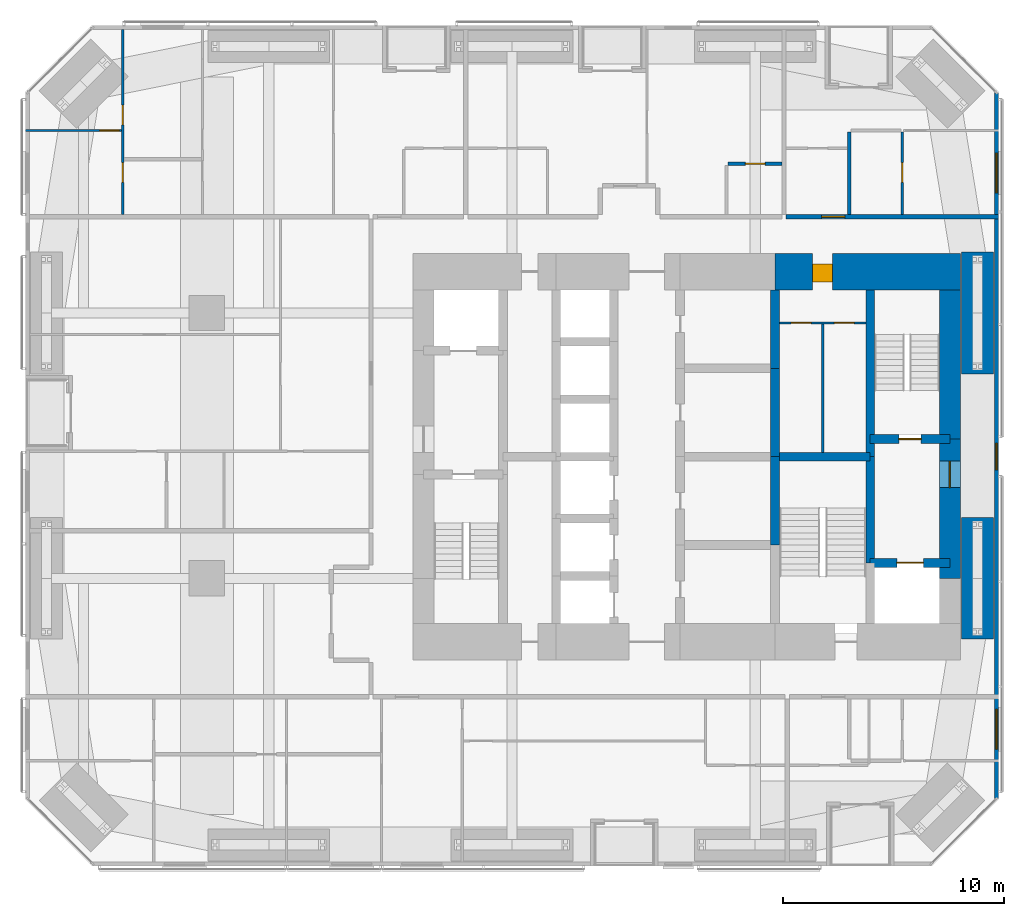
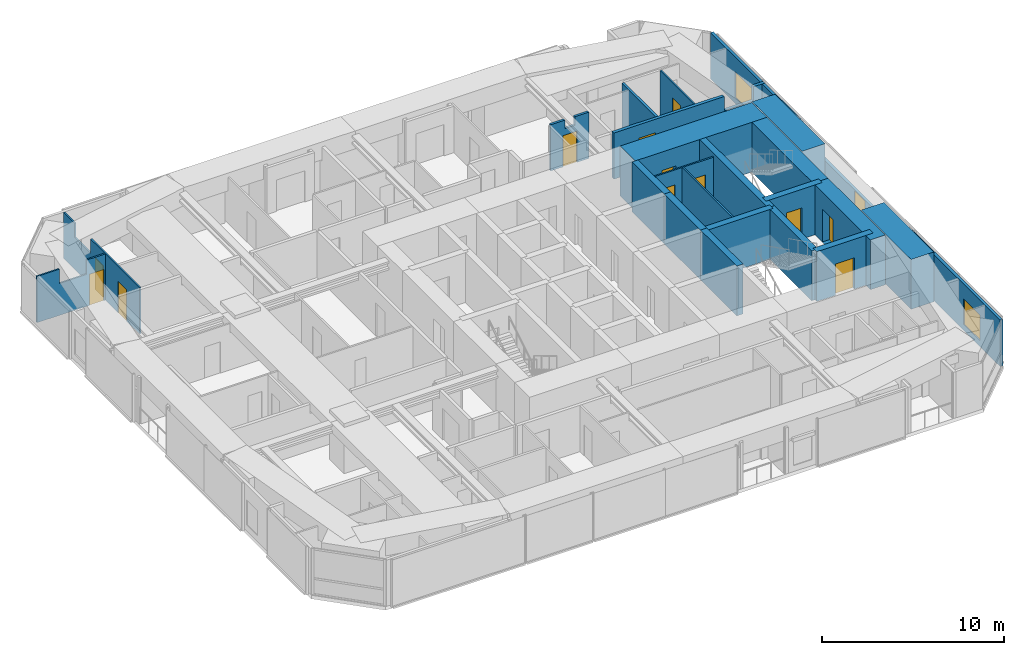
# One storey, part 21 of 24: 22 walls, 12 doors, 3 windows, 15 openings.
"""IFC4 building model written with IfcOpenShell, lengths in metres."""

from ifc_helpers import new_model, si_unit, direction, frame, frame_2d, origin, place, context, subcontext, project, spatial, polyline, rectangle, outline, extrude, material, layer, layer_set, constituent, constituent_set, type_object, element, fill, save


model = new_model("IFC4")

# Units and contexts
model_context = context("Model", 3, precision=1e-05, world=origin(), true_north=direction((0.0, 1.0)))
body_context = subcontext(model_context, "Body", "Model", "MODEL_VIEW")
ifc_project = project(units=[si_unit("LENGTHUNIT", "METRE"), si_unit("AREAUNIT", "SQUARE_METRE"), si_unit("VOLUMEUNIT", "CUBIC_METRE"), si_unit("PLANEANGLEUNIT", "RADIAN"), si_unit("MASSUNIT", "GRAM", prefix="KILO")], contexts=[model_context])

# Site, building, storey
site_placement = place(None, origin())
site = spatial("IfcSite", under=ifc_project, at=site_placement, CompositionType="ELEMENT")
building_placement = place(site_placement, origin())
building = spatial("IfcBuilding", under=site, at=building_placement, Name="Jalousie Tower", CompositionType="ELEMENT")
storey_placement = place(building_placement, frame((0.0, 0.0, 47.800048828125)))
storey = spatial("IfcBuildingStorey", under=building, at=storey_placement, Name="L12", CompositionType="ELEMENT", Elevation=47.800048828125)

# Wall, opening, door
ifc_material_1 = material(Name="Concrete block ASTM C90", Category="concrete")
ifc_constituent_1 = constituent(ifc_material_1, Name="Body")
ifc_material_2 = material(Name="Render")
ifc_constituent_2 = constituent(ifc_material_2, Name="Finish")
ifc_constituent_set_1 = constituent_set(constituents=[ifc_constituent_1, ifc_constituent_2])
wall_type_1 = type_object("IfcWallType", Name="BATHROOM WALL 150", PredefinedType="PLUMBINGWALL", material=ifc_constituent_set_1)
wall_1_placement = place(storey_placement, frame((33.77490234375, 31.75, 0.0), z_axis=(0.0, 0.0, 1.0), x_axis=(1.0, 0.0, 0.0)))
wall_1 = element("IfcWall", 1, at=wall_1_placement, inside=storey, type_object=wall_type_1, Name="Bathroom Wall 150 L12", PredefinedType="PLUMBINGWALL", context=body_context, shape_type="SweptSolid", body=[
    extrude(outline(polyline([(0.0, 0.0), (2.425048828125, 0.0), (2.425048828125, 3.10986328125), (1.537353515625, 3.10986328125), (1.537353515625, 2.541015625), (0.91259765625, 2.541015625), (0.91259765625, 3.10986328125), (0.0, 3.10986328125), (0.0, 0.0)])), frame((0.0, 0.074951171875, 0.0), z_axis=(0.0, -1.0, 0.0), x_axis=(1.0, 0.0, 0.0)), (0.0, 0.0, 1.0), 0.14990234375),
])
opening_1_placement = place(wall_1_placement, frame((0.77490234375, 0.0, 0.0)))
opening_1 = element("IfcOpeningElement", 2, at=opening_1_placement, cuts=wall_1, Name="Opening D3", PredefinedType="OPENING", context=body_context, shape_type="SweptSolid", body=[
    extrude(rectangle(XDim=0.89990234375, YDim=2.10009765625, at=frame_2d((0.449951171875, 1.050048828125))), frame((0.0, 0.0849609375, 0.0), z_axis=(0.0, -1.0, 0.0), x_axis=(1.0, 0.0, 0.0)), (0.0, 0.0, 1.0), 0.169921875),
])
ifc_material_3 = material(Name="Timber door", Category="wood")
door_type_1 = type_object("IfcDoorType", Name="BATHROOM DOOR 900", OperationType="SINGLE_SWING_LEFT", PredefinedType="DOOR", material=ifc_material_3)
door_1_placement = place(opening_1_placement, frame((0.89990234375, 0.0, 0.0), z_axis=(0.0, 0.0, 1.0), x_axis=(-1.0, 0.0, 0.0)))
door_1 = element("IfcDoor", 3, at=door_1_placement, inside=storey, type_object=door_type_1, Name="Apartment 1204 bathroom door", OperationType="SINGLE_SWING_LEFT", OverallHeight=2.10009765625, OverallWidth=0.89990234375, PredefinedType="DOOR", context=body_context, shape_type="SweptSolid", body=[
    extrude(rectangle(XDim=0.89990234375, YDim=2.10009765625, at=frame_2d((0.449951171875, 1.050048828125))), frame((0.0, 0.02490234375, 0.0), z_axis=(0.0, -1.0, 0.0), x_axis=(1.0, 0.0, 0.0)), (0.0, 0.0, 1.0), 0.050048828125),
])
fill(opening_1, door_1)

# Wall
wall_2_placement = place(storey_placement, frame((39.25, 33.17822265625, 0.0), z_axis=(0.0, 0.0, 1.0), x_axis=(0.0, -1.0, 0.0)))
element("IfcWall", 4, at=wall_2_placement, inside=storey, type_object=wall_type_1, Name="Bathroom Wall 150 L12", PredefinedType="PLUMBINGWALL", context=body_context, shape_type="SweptSolid", body=[
    extrude(rectangle(XDim=3.728271484375, YDim=0.14990234375, at=frame_2d((1.8642578125, 0.0))), origin(), (0.0, 0.0, 1.0), 3.10986328125),
])

# Wall, opening, door
ifc_material_4 = material(Name="Concrete f'c 120 MPa", Category="concrete")
ifc_layer_1 = layer(ifc_material_4, 1.64990234375)
ifc_layer_set_1 = layer_set([ifc_layer_1], Name="Concrete f'c 120 MPa")
wall_type_2 = type_object("IfcWallType", Name="CORE WALL 1650", PredefinedType="SHEAR", material=ifc_layer_set_1)
wall_3_placement = place(storey_placement, frame((44.27490234375, 26.875, 0.0), z_axis=(0.0, 0.0, 1.0), x_axis=(-1.0, 0.0, 0.0)))
wall_3 = element("IfcWall", 5, at=wall_3_placement, inside=storey, type_object=wall_type_2, Name="Core wall NA L12", PredefinedType="SHEAR", context=body_context, shape_type="SweptSolid", body=[
    extrude(rectangle(XDim=8.375, YDim=1.64990234375, at=frame_2d((4.1875, 0.0))), origin(), (0.0, 0.0, 1.0), 3.349853515625),
])
opening_2_placement = place(wall_3_placement, frame((5.77490234375, 0.0, 0.0)))
opening_2 = element("IfcOpeningElement", 6, at=opening_2_placement, cuts=wall_3, Name="Opening D25", PredefinedType="OPENING", context=body_context, shape_type="SweptSolid", body=[
    extrude(rectangle(XDim=0.89990234375, YDim=2.10009765625, at=frame_2d((0.449951171875, 1.050048828125))), frame((0.0, 0.8349609375, 0.0), z_axis=(0.0, -1.0, 0.0), x_axis=(1.0, 0.0, 0.0)), (0.0, 0.0, 1.0), 1.669921875),
])
ifc_material_5 = material(Name="Steel fire door", Category="steel")
door_type_2 = type_object("IfcDoorType", Name="SERVICE LOBBY DOOR 900", OperationType="SINGLE_SWING_LEFT", PredefinedType="DOOR", material=ifc_material_5)
door_2_placement = place(opening_2_placement, origin())
door_2 = element("IfcDoor", 7, at=door_2_placement, inside=storey, type_object=door_type_2, Name="Service lobby door", OperationType="SINGLE_SWING_RIGHT", OverallHeight=2.10009765625, OverallWidth=0.89990234375, PredefinedType="DOOR", context=body_context, shape_type="SweptSolid", body=[
    extrude(rectangle(XDim=0.89990234375, YDim=2.10009765625, at=frame_2d((0.449951171875, 1.050048828125))), frame((0.0, 0.47021484375, 0.0), z_axis=(0.0, -1.0, 0.0), x_axis=(1.0, 0.0, 0.0)), (0.0, 0.0, 1.0), 0.800048828125),
])
fill(opening_2, door_2)

# Walls
ifc_material_6 = material(Name="Concrete f'c 120 MPa", Category="concrete")
ifc_layer_2 = layer(ifc_material_6, 0.39990234375)
ifc_layer_set_2 = layer_set([ifc_layer_2], Name="Concrete f'c 120 MPa")
wall_type_3 = type_object("IfcWallType", Name="CORE WALL 400", PredefinedType="SHEAR", material=ifc_layer_set_2)
for number, where, z_axis, x_axis, name in (
    (8, (35.89990234375, 14.5, 0.0), (0.0, 0.0, 1.0), (0.0, 1.0, 0.0), "Core wall X35.9B L12"),
    (9, (35.89990234375, 18.5, 0.0), (0.0, 0.0, 1.0), (0.0, 1.0, 0.0), "Core wall X35.9C L12"),
):
    element("IfcWall", number, at=place(storey_placement, frame(where, z_axis=z_axis, x_axis=x_axis)), inside=storey, type_object=wall_type_3, Name=name, PredefinedType="SHEAR", context=body_context, shape_type="SweptSolid", body=[
        extrude(rectangle(XDim=4.0, YDim=0.39990234375, at=frame_2d((2.0, 0.0))), origin(), (0.0, 0.0, 1.0), 3.349853515625),
    ])
wall_4_placement = place(storey_placement, frame((35.89990234375, 22.5, 0.0), z_axis=(0.0, 0.0, 1.0), x_axis=(0.0, 1.0, 0.0)))
element("IfcWall", 10, at=wall_4_placement, inside=storey, type_object=wall_type_3, Name="Core wall X35.9D L12", PredefinedType="SHEAR", context=body_context, shape_type="SweptSolid", body=[
    extrude(rectangle(XDim=3.550048828125, YDim=0.39990234375, at=frame_2d((1.77490234375, 0.0))), origin(), (0.0, 0.0, 1.0), 3.349853515625),
])
wall_5_placement = place(storey_placement, frame((40.199951171875, 13.699951171875, 0.0), z_axis=(0.0, 0.0, 1.0), x_axis=(0.0, 1.0, 0.0)))
element("IfcWall", 11, at=wall_5_placement, inside=storey, type_object=wall_type_3, Name="Core wall X40.2B L12", PredefinedType="SHEAR", context=body_context, shape_type="SweptSolid", body=[
    extrude(rectangle(XDim=4.800048828125, YDim=0.39990234375, at=frame_2d((2.39990234375, 0.0))), origin(), (0.0, 0.0, 1.0), 3.349853515625),
])
wall_6_placement = place(storey_placement, frame((40.199951171875, 18.5, 0.0), z_axis=(0.0, 0.0, 1.0), x_axis=(0.0, 1.0, 0.0)))
element("IfcWall", 12, at=wall_6_placement, inside=storey, type_object=wall_type_3, Name="Core wall X40.2C L12", PredefinedType="SHEAR", context=body_context, shape_type="SweptSolid", body=[
    extrude(rectangle(XDim=7.550048828125, YDim=0.39990234375, at=frame_2d((3.77490234375, 0.0))), origin(), (0.0, 0.0, 1.0), 3.349853515625),
])
wall_7_placement = place(storey_placement, frame((35.89990234375, 18.5, 0.0), z_axis=(0.0, 0.0, 1.0), x_axis=(1.0, 0.0, 0.0)))
element("IfcWall", 13, at=wall_7_placement, inside=storey, type_object=wall_type_3, Name="Core wall Y35.9-18.5 L12", PredefinedType="SHEAR", context=body_context, shape_type="SweptSolid", body=[
    extrude(rectangle(XDim=4.300048828125, YDim=0.39990234375, at=frame_2d((2.14990234375, 0.0))), origin(), (0.0, 0.0, 1.0), 3.349853515625),
])

# Wall, opening, door
wall_8_placement = place(storey_placement, frame((40.199951171875, 13.699951171875, 0.0), z_axis=(0.0, 0.0, 1.0), x_axis=(1.0, 0.0, 0.0)))
wall_8 = element("IfcWall", 14, at=wall_8_placement, inside=storey, type_object=wall_type_3, Name="Core wall Y40.2-13.7 L12", PredefinedType="SHEAR", context=body_context, shape_type="SweptSolid", body=[
    extrude(rectangle(XDim=3.60009765625, YDim=0.39990234375, at=frame_2d((1.800048828125, 0.0))), origin(), (0.0, 0.0, 1.0), 3.349853515625),
])
opening_3_placement = place(wall_8_placement, frame((1.199951171875, 0.0, 0.0)))
opening_3 = element("IfcOpeningElement", 15, at=opening_3_placement, cuts=wall_8, Name="Opening LD2", PredefinedType="OPENING", context=body_context, shape_type="SweptSolid", body=[
    extrude(rectangle(XDim=1.199951171875, YDim=2.10009765625, at=frame_2d((0.60009765625, 1.050048828125))), frame((0.0, 0.2099609375, 0.0), z_axis=(0.0, -1.0, 0.0), x_axis=(1.0, 0.0, 0.0)), (0.0, 0.0, 1.0), 0.419921875),
])
ifc_material_7 = material(Name="Steel lift landing door", Category="steel")
door_type_3 = type_object("IfcDoorType", Name="LIFT LANDING DOOR 1200", OperationType="SLIDING_TO_LEFT", PredefinedType="DOOR", material=ifc_material_7)
door_3_placement = place(opening_3_placement, origin())
door_3 = element("IfcDoor", 16, at=door_3_placement, inside=storey, type_object=door_type_3, Name="Lift F2 landing door", OperationType="SLIDING_TO_LEFT", OverallHeight=2.10009765625, OverallWidth=1.199951171875, PredefinedType="DOOR", context=body_context, shape_type="SweptSolid", body=[
    extrude(rectangle(XDim=1.199951171875, YDim=2.10009765625, at=frame_2d((0.60009765625, 1.050048828125))), frame((0.0, 0.02490234375, 0.0), z_axis=(0.0, -1.0, 0.0), x_axis=(1.0, 0.0, 0.0)), (0.0, 0.0, 1.0), 0.050048828125),
])
fill(opening_3, door_3)

wall_9_placement = place(storey_placement, frame((40.199951171875, 19.300048828125, 0.0), z_axis=(0.0, 0.0, 1.0), x_axis=(1.0, 0.0, 0.0)))
wall_9 = element("IfcWall", 17, at=wall_9_placement, inside=storey, type_object=wall_type_3, Name="Core wall Y40.2-19.3 L12", PredefinedType="SHEAR", context=body_context, shape_type="SweptSolid", body=[
    extrude(rectangle(XDim=3.60009765625, YDim=0.39990234375, at=frame_2d((1.800048828125, 0.0))), origin(), (0.0, 0.0, 1.0), 3.349853515625),
])
opening_4_placement = place(wall_9_placement, frame((1.300048828125, 0.0, 0.0)))
opening_4 = element("IfcOpeningElement", 18, at=opening_4_placement, cuts=wall_9, Name="Opening D10", PredefinedType="OPENING", context=body_context, shape_type="SweptSolid", body=[
    extrude(rectangle(XDim=1.0, YDim=2.10009765625, at=frame_2d((0.5, 1.050048828125))), frame((0.0, 0.2099609375, 0.0), z_axis=(0.0, -1.0, 0.0), x_axis=(1.0, 0.0, 0.0)), (0.0, 0.0, 1.0), 0.419921875),
])
ifc_material_8 = material(Name="Steel fire door", Category="steel")
door_type_4 = type_object("IfcDoorType", Name="STAIR DOOR 1000", OperationType="SINGLE_SWING_LEFT", PredefinedType="DOOR", material=ifc_material_8)
door_4_placement = place(opening_4_placement, origin())
door_4 = element("IfcDoor", 19, at=door_4_placement, inside=storey, type_object=door_type_4, Name="Exit stair B door", OperationType="SINGLE_SWING_RIGHT", OverallHeight=2.10009765625, OverallWidth=1.0, PredefinedType="DOOR", context=body_context, shape_type="SweptSolid", body=[
    extrude(rectangle(XDim=1.0, YDim=2.10009765625, at=frame_2d((0.5, 1.050048828125))), frame((0.0, 0.02490234375, 0.0), z_axis=(0.0, -1.0, 0.0), x_axis=(1.0, 0.0, 0.0)), (0.0, 0.0, 1.0), 0.050048828125),
])
fill(opening_4, door_4)

ifc_material_9 = material(Name="Concrete f'c 120 MPa", Category="concrete")
ifc_layer_3 = layer(ifc_material_9, 0.949951171875)
ifc_layer_set_3 = layer_set([ifc_layer_3], Name="Concrete f'c 120 MPa")
wall_type_4 = type_object("IfcWallType", Name="CORE WALL 950", PredefinedType="SHEAR", material=ifc_layer_set_3)
wall_10_placement = place(storey_placement, frame((43.800048828125, 13.0, 0.0), z_axis=(0.0, 0.0, 1.0), x_axis=(0.0, 1.0, 0.0)))
wall_10 = element("IfcWall", 20, at=wall_10_placement, inside=storey, type_object=wall_type_4, Name="Core wall EB L12", PredefinedType="SHEAR", context=body_context, shape_type="SweptSolid", body=[
    extrude(rectangle(XDim=6.300048828125, YDim=0.949951171875, at=frame_2d((3.14990234375, 0.0))), origin(), (0.0, 0.0, 1.0), 3.349853515625),
])
opening_5_placement = place(wall_10_placement, frame((4.10009765625, 0.0, 0.0)))
opening_5 = element("IfcOpeningElement", 21, at=opening_5_placement, cuts=wall_10, Name="Opening D11", PredefinedType="OPENING", context=body_context, shape_type="SweptSolid", body=[
    extrude(rectangle(XDim=1.199951171875, YDim=2.199951171875, at=frame_2d((0.60009765625, 1.10009765625))), frame((0.0, 0.48486328125, 0.0), z_axis=(0.0, -1.0, 0.0), x_axis=(1.0, 0.0, 0.0)), (0.0, 0.0, 1.0), 0.969970703125),
])
ifc_material_10 = material(Name="Steel fire door", Category="steel")
door_type_5 = type_object("IfcDoorType", Name="FIRE DOOR 1200", OperationType="SINGLE_SWING_LEFT", PredefinedType="DOOR", material=ifc_material_10)
door_5_placement = place(opening_5_placement, origin())
door_5 = element("IfcDoor", 22, at=door_5_placement, inside=storey, type_object=door_type_5, Name="Fire-fighting lobby B door", OperationType="SINGLE_SWING_RIGHT", OverallHeight=2.199951171875, OverallWidth=1.199951171875, PredefinedType="DOOR", context=body_context, shape_type="SweptSolid", body=[
    extrude(rectangle(XDim=1.199951171875, YDim=2.199951171875, at=frame_2d((0.60009765625, 1.10009765625))), frame((0.0, 0.02490234375, 0.0), z_axis=(0.0, -1.0, 0.0), x_axis=(1.0, 0.0, 0.0)), (0.0, 0.0, 1.0), 0.050048828125),
])
fill(opening_5, door_5)

# Wall
wall_11_placement = place(storey_placement, frame((43.800048828125, 19.300048828125, 0.0), z_axis=(0.0, 0.0, 1.0), x_axis=(0.0, 1.0, 0.0)))
element("IfcWall", 23, at=wall_11_placement, inside=storey, type_object=wall_type_4, Name="Core wall EC L12", PredefinedType="SHEAR", context=body_context, shape_type="SweptSolid", body=[
    extrude(rectangle(XDim=6.75, YDim=0.949951171875, at=frame_2d((3.375, 0.0))), origin(), (0.0, 0.0, 1.0), 3.349853515625),
])

# Wall, opening, door
ifc_material_11 = material(Name="Concrete block ASTM C90", Category="concrete")
ifc_constituent_3 = constituent(ifc_material_11, Name="Body")
ifc_material_12 = material(Name="Render")
ifc_constituent_4 = constituent(ifc_material_12, Name="Finish")
ifc_constituent_set_2 = constituent_set(constituents=[ifc_constituent_3, ifc_constituent_4])
wall_type_5 = type_object("IfcWallType", Name="CORRIDOR WALL 200", PredefinedType="PARTITIONING", material=ifc_constituent_set_2)
wall_12_placement = place(storey_placement, frame((36.39990234375, 29.35009765625, 0.0), z_axis=(0.0, 0.0, 1.0), x_axis=(1.0, 0.0, 0.0)))
wall_12 = element("IfcWall", 24, at=wall_12_placement, inside=storey, type_object=wall_type_5, Name="Corridor Wall 200 L12", PredefinedType="PARTITIONING", context=body_context, shape_type="SweptSolid", body=[
    extrude(outline(polyline([(0.0, 0.0), (9.60009765625, 0.0), (9.60009765625, 3.10986328125), (8.866455078125, 3.10986328125), (8.866455078125, 2.14990234375), (7.022705078125, 2.14990234375), (7.022705078125, 3.10986328125), (0.0, 3.10986328125), (0.0, 0.0)])), frame((0.0, 0.10009765625, 0.0), z_axis=(0.0, -1.0, 0.0), x_axis=(1.0, 0.0, 0.0)), (0.0, 0.0, 1.0), 0.199951171875),
])
opening_6_placement = place(wall_12_placement, frame((1.60009765625, 0.0, 0.0)))
opening_6 = element("IfcOpeningElement", 25, at=opening_6_placement, cuts=wall_12, Name="Opening D1", PredefinedType="OPENING", context=body_context, shape_type="SweptSolid", body=[
    extrude(rectangle(XDim=1.050048828125, YDim=2.199951171875, at=frame_2d((0.52490234375, 1.10009765625))), frame((0.0, 0.10986328125, 0.0), z_axis=(0.0, -1.0, 0.0), x_axis=(1.0, 0.0, 0.0)), (0.0, 0.0, 1.0), 0.219970703125),
])
ifc_material_13 = material(Name="Timber fire door", Category="wood")
door_type_6 = type_object("IfcDoorType", Name="APARTMENT ENTRANCE DOOR 1050", OperationType="SINGLE_SWING_LEFT", PredefinedType="DOOR", material=ifc_material_13)
door_6_placement = place(opening_6_placement, origin())
door_6 = element("IfcDoor", 26, at=door_6_placement, inside=storey, type_object=door_type_6, Name="Apartment 1205 entrance", OperationType="SINGLE_SWING_RIGHT", OverallHeight=2.199951171875, OverallWidth=1.050048828125, PredefinedType="DOOR", context=body_context, shape_type="SweptSolid", body=[
    extrude(rectangle(XDim=1.050048828125, YDim=2.199951171875, at=frame_2d((0.52490234375, 1.10009765625))), frame((0.0, 0.02490234375, 0.0), z_axis=(0.0, -1.0, 0.0), x_axis=(1.0, 0.0, 0.0)), (0.0, 0.0, 1.0), 0.050048828125),
])
fill(opening_6, door_6)

# Wall, openings, windows
ifc_material_14 = material(Name="Concrete f'c 40 MPa", Category="concrete")
ifc_constituent_5 = constituent(ifc_material_14, Name="Body")
ifc_material_15 = material(Name="Render, pastel coral")
ifc_constituent_6 = constituent(ifc_material_15, Name="Finish")
ifc_constituent_set_3 = constituent_set(constituents=[ifc_constituent_5, ifc_constituent_6])
wall_type_6 = type_object("IfcWallType", Name="EXTERNAL WALL 175 CORAL RENDER", PredefinedType="SOLIDWALL", material=ifc_constituent_set_3)
wall_13_placement = place(storey_placement, frame((45.91259765625, 3.05126953125, 0.0), z_axis=(0.0, 0.0, 1.0), x_axis=(0.0, 1.0, 0.0)))
wall_13 = element("IfcWall", 27, at=wall_13_placement, inside=storey, type_object=wall_type_6, Name="External Wall 175 Coral Render L12", PredefinedType="SOLIDWALL", context=body_context, shape_type="SweptSolid", body=[
    extrude(outline(polyline([(0.0, 0.0), (31.8974609375, 0.0), (31.8974609375, 3.10986328125), (22.167236328125, 3.10986328125), (22.167236328125, 2.14990234375), (22.074462890625, 2.14990234375), (22.074462890625, 3.10986328125), (21.94873046875, 3.10986328125), (21.94873046875, 2.14990234375), (9.94873046875, 2.14990234375), (9.94873046875, 3.10986328125), (9.822998046875, 3.10986328125), (9.822998046875, 2.14990234375), (9.72998046875, 2.14990234375), (9.72998046875, 3.10986328125), (0.0, 3.10986328125), (0.0, 0.0)])), frame((0.0, 0.08740234375, 0.0), z_axis=(0.0, -1.0, 0.0), x_axis=(1.0, 0.0, 0.0)), (0.0, 0.0, 1.0), 0.175048828125),
])
opening_7_placement = place(wall_13_placement, frame((2.22216796875, 0.0, 0.39990234375)))
opening_7 = element("IfcOpeningElement", 28, at=opening_7_placement, cuts=wall_13, Name="Opening W-BED170", PredefinedType="OPENING", context=body_context, shape_type="SweptSolid", body=[
    extrude(rectangle(XDim=1.800048828125, YDim=1.699951171875, at=frame_2d((0.89990234375, 0.85009765625))), frame((0.0, 0.097412109375, 0.0), z_axis=(0.0, -1.0, 0.0), x_axis=(1.0, 0.0, 0.0)), (0.0, 0.0, 1.0), 0.195068359375),
])
opening_8_placement = place(wall_13_placement, frame((14.8486328125, 0.0, 0.39990234375)))
opening_8 = element("IfcOpeningElement", 29, at=opening_8_placement, cuts=wall_13, Name="Opening W-COR170", PredefinedType="OPENING", context=body_context, shape_type="SweptSolid", body=[
    extrude(rectangle(XDim=1.199951171875, YDim=1.699951171875, at=frame_2d((0.60009765625, 0.85009765625))), frame((0.0, 0.097412109375, 0.0), z_axis=(0.0, -1.0, 0.0), x_axis=(1.0, 0.0, 0.0)), (0.0, 0.0, 1.0), 0.195068359375),
])
opening_9_placement = place(wall_13_placement, frame((27.37548828125, 0.0, 0.39990234375)))
opening_9 = element("IfcOpeningElement", 30, at=opening_9_placement, cuts=wall_13, Name="Opening W-BED170", PredefinedType="OPENING", context=body_context, shape_type="SweptSolid", body=[
    extrude(rectangle(XDim=1.800048828125, YDim=1.699951171875, at=frame_2d((0.89990234375, 0.85009765625))), frame((0.0, 0.097412109375, 0.0), z_axis=(0.0, -1.0, 0.0), x_axis=(1.0, 0.0, 0.0)), (0.0, 0.0, 1.0), 0.195068359375),
])
ifc_material_16 = material(Name="Aluminium frame, impact-rated glazing", Category="aluminium")
window_type_1 = type_object("IfcWindowType", Name="WINDOW BED 1800x1700", PartitioningType="SINGLE_PANEL", PredefinedType="WINDOW", material=ifc_material_16)
window_1_placement = place(opening_7_placement, origin())
window_1 = element("IfcWindow", 31, at=window_1_placement, inside=storey, type_object=window_type_1, Name="Apartment 1202 bedroom 1 window", OverallHeight=1.699951171875, OverallWidth=1.800048828125, PartitioningType="SINGLE_PANEL", PredefinedType="WINDOW", context=body_context, shape_type="SweptSolid", body=[
    extrude(rectangle(XDim=1.800048828125, YDim=1.699951171875, at=frame_2d((0.89990234375, 0.85009765625))), frame((0.0, 0.030029296875, 0.0), z_axis=(0.0, -1.0, 0.0), x_axis=(1.0, 0.0, 0.0)), (0.0, 0.0, 1.0), 0.06005859375),
])
fill(opening_7, window_1)
window_2_placement = place(opening_9_placement, origin())
window_2 = element("IfcWindow", 32, at=window_2_placement, inside=storey, type_object=window_type_1, Name="Apartment 1205 bedroom 1 window", OverallHeight=1.699951171875, OverallWidth=1.800048828125, PartitioningType="SINGLE_PANEL", PredefinedType="WINDOW", context=body_context, shape_type="SweptSolid", body=[
    extrude(rectangle(XDim=1.800048828125, YDim=1.699951171875, at=frame_2d((0.89990234375, 0.85009765625))), frame((0.0, 0.030029296875, 0.0), z_axis=(0.0, -1.0, 0.0), x_axis=(1.0, 0.0, 0.0)), (0.0, 0.0, 1.0), 0.06005859375),
])
fill(opening_9, window_2)
ifc_material_17 = material(Name="Aluminium frame, impact-rated glazing", Category="aluminium")
window_type_2 = type_object("IfcWindowType", Name="WINDOW COR 1200x1700", PartitioningType="SINGLE_PANEL", PredefinedType="WINDOW", material=ifc_material_17)
window_3_placement = place(opening_8_placement, origin())
window_3 = element("IfcWindow", 33, at=window_3_placement, inside=storey, type_object=window_type_2, Name="Corridor window", OverallHeight=1.699951171875, OverallWidth=1.199951171875, PartitioningType="SINGLE_PANEL", PredefinedType="WINDOW", context=body_context, shape_type="SweptSolid", body=[
    extrude(rectangle(XDim=1.199951171875, YDim=1.699951171875, at=frame_2d((0.60009765625, 0.85009765625))), frame((0.0, 0.030029296875, 0.0), z_axis=(0.0, -1.0, 0.0), x_axis=(1.0, 0.0, 0.0)), (0.0, 0.0, 1.0), 0.06005859375),
])
fill(opening_8, window_3)

# Wall, openings, doors
ifc_material_18 = material(Name="Gypsum board", Category="gypsum")
ifc_constituent_7 = constituent(ifc_material_18, Name="Body")
ifc_material_19 = material(Name="Light-gauge steel studs ASTM A653 SS Grade 33", Category="steel")
ifc_constituent_8 = constituent(ifc_material_19, Name="Framing")
ifc_constituent_set_4 = constituent_set(constituents=[ifc_constituent_7, ifc_constituent_8])
wall_type_7 = type_object("IfcWallType", Name="PARTITION 100", PredefinedType="PARTITIONING", material=ifc_constituent_set_4)
wall_14_placement = place(storey_placement, frame((6.39990234375, 37.824951171875, 0.0), z_axis=(0.0, 0.0, 1.0), x_axis=(0.0, -1.0, 0.0)))
wall_14 = element("IfcWall", 34, at=wall_14_placement, inside=storey, type_object=wall_type_7, Name="Partition 100 L12", PredefinedType="PARTITIONING", context=body_context, shape_type="SweptSolid", body=[
    extrude(outline(polyline([(0.0, 0.0), (8.375, 0.0), (8.375, 3.10986328125), (2.978271484375, 3.10986328125), (2.978271484375, 2.14990234375), (1.223876953125, 2.14990234375), (1.223876953125, 3.10986328125), (0.0, 3.10986328125), (0.0, 0.0)])), frame((0.0, 0.050048828125, 0.0), z_axis=(0.0, -1.0, 0.0), x_axis=(1.0, 0.0, 0.0)), (0.0, 0.0, 1.0), 0.10009765625),
])
opening_10_placement = place(wall_14_placement, frame((3.421630859375, 0.0, 0.0)))
opening_10 = element("IfcOpeningElement", 35, at=opening_10_placement, cuts=wall_14, Name="Opening D2", PredefinedType="OPENING", context=body_context, shape_type="SweptSolid", body=[
    extrude(rectangle(XDim=0.89990234375, YDim=2.10009765625, at=frame_2d((0.449951171875, 1.050048828125))), frame((0.0, 0.06005859375, 0.0), z_axis=(0.0, -1.0, 0.0), x_axis=(1.0, 0.0, 0.0)), (0.0, 0.0, 1.0), 0.1201171875),
])
opening_11_placement = place(wall_14_placement, frame((6.023193359375, 0.0, 0.0)))
opening_11 = element("IfcOpeningElement", 36, at=opening_11_placement, cuts=wall_14, Name="Opening D3", PredefinedType="OPENING", context=body_context, shape_type="SweptSolid", body=[
    extrude(rectangle(XDim=0.89990234375, YDim=2.10009765625, at=frame_2d((0.449951171875, 1.050048828125))), frame((0.0, 0.06005859375, 0.0), z_axis=(0.0, -1.0, 0.0), x_axis=(1.0, 0.0, 0.0)), (0.0, 0.0, 1.0), 0.1201171875),
])
door_7_placement = place(opening_11_placement, origin())
door_7 = element("IfcDoor", 37, at=door_7_placement, inside=storey, type_object=door_type_1, Name="Apartment 1203 bedroom 1 bathroom door", OperationType="SINGLE_SWING_LEFT", OverallHeight=2.10009765625, OverallWidth=0.89990234375, PredefinedType="DOOR", context=body_context, shape_type="SweptSolid", body=[
    extrude(rectangle(XDim=0.89990234375, YDim=2.10009765625, at=frame_2d((0.449951171875, 1.050048828125))), frame((0.0, 0.02490234375, 0.0), z_axis=(0.0, -1.0, 0.0), x_axis=(1.0, 0.0, 0.0)), (0.0, 0.0, 1.0), 0.050048828125),
])
fill(opening_11, door_7)
ifc_material_20 = material(Name="Timber door", Category="wood")
door_type_7 = type_object("IfcDoorType", Name="BEDROOM DOOR 900", OperationType="SINGLE_SWING_LEFT", PredefinedType="DOOR", material=ifc_material_20)
door_8_placement = place(opening_10_placement, origin())
door_8 = element("IfcDoor", 38, at=door_8_placement, inside=storey, type_object=door_type_7, Name="Apartment 1203 bedroom 1 door", OperationType="SINGLE_SWING_RIGHT", OverallHeight=2.10009765625, OverallWidth=0.89990234375, PredefinedType="DOOR", context=body_context, shape_type="SweptSolid", body=[
    extrude(rectangle(XDim=0.89990234375, YDim=2.10009765625, at=frame_2d((0.449951171875, 1.050048828125))), frame((0.0, 0.02490234375, 0.0), z_axis=(0.0, -1.0, 0.0), x_axis=(1.0, 0.0, 0.0)), (0.0, 0.0, 1.0), 0.050048828125),
])
fill(opening_10, door_8)

# Wall, opening, door
wall_15_placement = place(storey_placement, frame((2.0, 33.25341796875, 0.0), z_axis=(0.0, 0.0, 1.0), x_axis=(1.0, 0.0, 0.0)))
wall_15 = element("IfcWall", 39, at=wall_15_placement, inside=storey, type_object=wall_type_7, Name="Partition 100 L12", PredefinedType="PARTITIONING", context=body_context, shape_type="SweptSolid", body=[
    extrude(outline(polyline([(0.0, 0.0), (4.35009765625, 0.0), (4.35009765625, 3.10986328125), (3.15966796875, 3.10986328125), (3.15966796875, 2.14990234375), (1.4169921875, 2.14990234375), (1.4169921875, 3.10986328125), (0.0, 3.10986328125), (0.0, 0.0)])), frame((0.0, 0.050048828125, 0.0), z_axis=(0.0, -1.0, 0.0), x_axis=(1.0, 0.0, 0.0)), (0.0, 0.0, 1.0), 0.10009765625),
])
opening_12_placement = place(wall_15_placement, frame((3.35009765625, 0.0, 0.0)))
opening_12 = element("IfcOpeningElement", 40, at=opening_12_placement, cuts=wall_15, Name="Opening D7", PredefinedType="OPENING", context=body_context, shape_type="SweptSolid", body=[
    extrude(rectangle(XDim=0.89990234375, YDim=2.10009765625, at=frame_2d((0.449951171875, 1.050048828125))), frame((0.0, 0.06005859375, 0.0), z_axis=(0.0, -1.0, 0.0), x_axis=(1.0, 0.0, 0.0)), (0.0, 0.0, 1.0), 0.1201171875),
])
ifc_material_21 = material(Name="Timber door", Category="wood")
door_type_8 = type_object("IfcDoorType", Name="INTERNAL DOOR 900", OperationType="SINGLE_SWING_LEFT", PredefinedType="DOOR", material=ifc_material_21)
door_9_placement = place(opening_12_placement, frame((0.89990234375, 0.0, 0.0), z_axis=(0.0, 0.0, 1.0), x_axis=(-1.0, 0.0, 0.0)))
door_9 = element("IfcDoor", 41, at=door_9_placement, inside=storey, type_object=door_type_8, Name="Apartment 1203 bedroom 1 dressing hall door", OperationType="SINGLE_SWING_LEFT", OverallHeight=2.10009765625, OverallWidth=0.89990234375, PredefinedType="DOOR", context=body_context, shape_type="SweptSolid", body=[
    extrude(rectangle(XDim=0.89990234375, YDim=2.10009765625, at=frame_2d((0.449951171875, 1.050048828125))), frame((0.0, 0.02490234375, 0.0), z_axis=(0.0, -1.0, 0.0), x_axis=(1.0, 0.0, 0.0)), (0.0, 0.0, 1.0), 0.050048828125),
])
fill(opening_12, door_9)

wall_16_placement = place(storey_placement, frame((41.64990234375, 33.17822265625, 0.0), z_axis=(0.0, 0.0, 1.0), x_axis=(0.0, -1.0, 0.0)))
wall_16 = element("IfcWall", 42, at=wall_16_placement, inside=storey, type_object=wall_type_7, Name="Partition 100 L12", PredefinedType="PARTITIONING", context=body_context, shape_type="SweptSolid", body=[
    extrude(rectangle(XDim=3.728271484375, YDim=0.10009765625, at=frame_2d((1.8642578125, 0.0))), origin(), (0.0, 0.0, 1.0), 3.10986328125),
])
opening_13_placement = place(wall_16_placement, frame((1.376708984375, 0.0, 0.0)))
opening_13 = element("IfcOpeningElement", 43, at=opening_13_placement, cuts=wall_16, Name="Opening D3", PredefinedType="OPENING", context=body_context, shape_type="SweptSolid", body=[
    extrude(rectangle(XDim=0.89990234375, YDim=2.10009765625, at=frame_2d((0.449951171875, 1.050048828125))), frame((0.0, 0.06005859375, 0.0), z_axis=(0.0, -1.0, 0.0), x_axis=(1.0, 0.0, 0.0)), (0.0, 0.0, 1.0), 0.1201171875),
])
door_10_placement = place(opening_13_placement, frame((0.89990234375, 0.0, 0.0), z_axis=(0.0, 0.0, 1.0), x_axis=(-1.0, 0.0, 0.0)))
door_10 = element("IfcDoor", 44, at=door_10_placement, inside=storey, type_object=door_type_1, Name="Apartment 1205 bedroom 1 bathroom door", OperationType="SINGLE_SWING_RIGHT", OverallHeight=2.10009765625, OverallWidth=0.89990234375, PredefinedType="DOOR", context=body_context, shape_type="SweptSolid", body=[
    extrude(rectangle(XDim=0.89990234375, YDim=2.10009765625, at=frame_2d((0.449951171875, 1.050048828125))), frame((0.0, 0.02490234375, 0.0), z_axis=(0.0, -1.0, 0.0), x_axis=(1.0, 0.0, 0.0)), (0.0, 0.0, 1.0), 0.050048828125),
])
fill(opening_13, door_10)

# Wall, openings, doors
wall_17_placement = place(storey_placement, frame((36.10009765625, 24.550048828125, 0.0), z_axis=(0.0, 0.0, 1.0), x_axis=(1.0, 0.0, 0.0)))
wall_17 = element("IfcWall", 45, at=wall_17_placement, inside=storey, type_object=wall_type_7, Name="Partition 100 L12", PredefinedType="PARTITIONING", context=body_context, shape_type="SweptSolid", body=[
    extrude(rectangle(XDim=3.89990234375, YDim=0.10009765625, at=frame_2d((1.949951171875, 0.0))), origin(), (0.0, 0.0, 1.0), 3.10986328125),
])
opening_14_placement = place(wall_17_placement, frame((0.52490234375, 0.0, 0.0)))
opening_14 = element("IfcOpeningElement", 46, at=opening_14_placement, cuts=wall_17, Name="Opening D7", PredefinedType="OPENING", context=body_context, shape_type="SweptSolid", body=[
    extrude(rectangle(XDim=0.89990234375, YDim=2.10009765625, at=frame_2d((0.449951171875, 1.050048828125))), frame((0.0, 0.06005859375, 0.0), z_axis=(0.0, -1.0, 0.0), x_axis=(1.0, 0.0, 0.0)), (0.0, 0.0, 1.0), 0.1201171875),
])
opening_15_placement = place(wall_17_placement, frame((2.47509765625, 0.0, 0.0)))
opening_15 = element("IfcOpeningElement", 47, at=opening_15_placement, cuts=wall_17, Name="Opening D7", PredefinedType="OPENING", context=body_context, shape_type="SweptSolid", body=[
    extrude(rectangle(XDim=0.89990234375, YDim=2.10009765625, at=frame_2d((0.449951171875, 1.050048828125))), frame((0.0, 0.06005859375, 0.0), z_axis=(0.0, -1.0, 0.0), x_axis=(1.0, 0.0, 0.0)), (0.0, 0.0, 1.0), 0.1201171875),
])
door_11_placement = place(opening_14_placement, frame((0.89990234375, 0.0, 0.0), z_axis=(0.0, 0.0, 1.0), x_axis=(-1.0, 0.0, 0.0)))
door_11 = element("IfcDoor", 48, at=door_11_placement, inside=storey, type_object=door_type_8, Name="Cleaner's store door", OperationType="SINGLE_SWING_LEFT", OverallHeight=2.10009765625, OverallWidth=0.89990234375, PredefinedType="DOOR", context=body_context, shape_type="SweptSolid", body=[
    extrude(rectangle(XDim=0.89990234375, YDim=2.10009765625, at=frame_2d((0.449951171875, 1.050048828125))), frame((0.0, 0.02490234375, 0.0), z_axis=(0.0, -1.0, 0.0), x_axis=(1.0, 0.0, 0.0)), (0.0, 0.0, 1.0), 0.050048828125),
])
fill(opening_14, door_11)
door_12_placement = place(opening_15_placement, frame((0.89990234375, 0.0, 0.0), z_axis=(0.0, 0.0, 1.0), x_axis=(-1.0, 0.0, 0.0)))
door_12 = element("IfcDoor", 49, at=door_12_placement, inside=storey, type_object=door_type_8, Name="Linen store door", OperationType="SINGLE_SWING_RIGHT", OverallHeight=2.10009765625, OverallWidth=0.89990234375, PredefinedType="DOOR", context=body_context, shape_type="SweptSolid", body=[
    extrude(rectangle(XDim=0.89990234375, YDim=2.10009765625, at=frame_2d((0.449951171875, 1.050048828125))), frame((0.0, 0.02490234375, 0.0), z_axis=(0.0, -1.0, 0.0), x_axis=(1.0, 0.0, 0.0)), (0.0, 0.0, 1.0), 0.050048828125),
])
fill(opening_15, door_12)

# Walls
wall_18_placement = place(storey_placement, frame((38.050048828125, 18.699951171875, 0.0), z_axis=(0.0, 0.0, 1.0), x_axis=(0.0, 1.0, 0.0)))
element("IfcWall", 50, at=wall_18_placement, inside=storey, type_object=wall_type_7, Name="Partition 100 L12", PredefinedType="PARTITIONING", context=body_context, shape_type="SweptSolid", body=[
    extrude(rectangle(XDim=5.800048828125, YDim=0.10009765625, at=frame_2d((2.89990234375, 0.0))), origin(), (0.0, 0.0, 1.0), 3.10986328125),
])
ifc_material_22 = material(Name="Concrete f'c 120 MPa", Category="concrete")
ifc_layer_4 = layer(ifc_material_22, 1.449951171875)
ifc_layer_set_4 = layer_set([ifc_layer_4], Name="Concrete f'c 120 MPa")
wall_type_8 = type_object("IfcWallType", Name="RC WALL PIER 1450", PredefinedType="SHEAR", material=ifc_layer_set_4)
for number, where, z_axis, x_axis, name in (
    (51, (45.050048828125, 10.25, 0.0), (0.0, 0.0, 1.0), (0.0, 1.0, 0.0), "Wall pier 06 L12"),
    (52, (45.050048828125, 22.25, 0.0), (0.0, 0.0, 1.0), (0.0, 1.0, 0.0), "Wall pier 07 L12"),
):
    element("IfcWall", number, at=place(storey_placement, frame(where, z_axis=z_axis, x_axis=x_axis)), inside=storey, type_object=wall_type_8, Name=name, PredefinedType="SHEAR", context=body_context, shape_type="SweptSolid", body=[
        extrude(rectangle(XDim=5.5, YDim=1.449951171875, at=frame_2d((2.75, 0.0))), origin(), (0.0, 0.0, 1.0), 3.349853515625),
    ])

save(model, "model.ifc")
